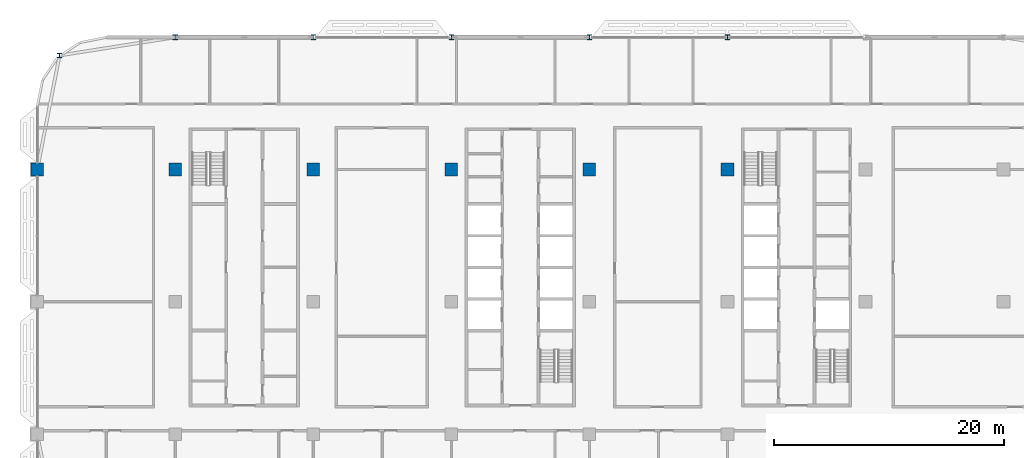
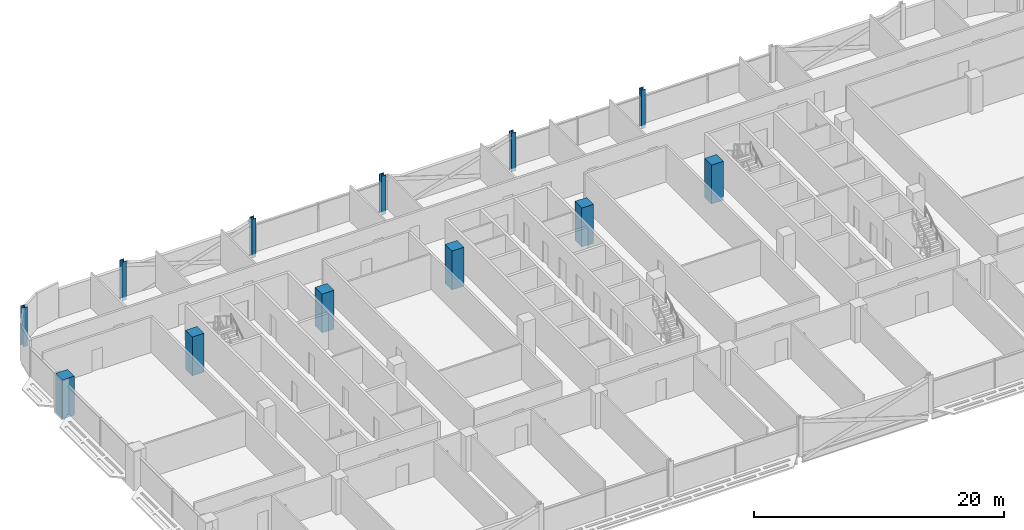
# One storey, part 2 of 30: 12 columns.
"""IFC4 building model written with IfcOpenShell, lengths in metres."""

from ifc_helpers import new_model, si_unit, direction, frame, origin, origin_2d, place, context, subcontext, project, spatial, rectangle, i_section, extrude, material, material_profile, profile_set, type_object, element, save


model = new_model("IFC4")

# Units and contexts
model_context = context("Model", 3, precision=1e-05, world=origin(), true_north=direction((0.0, 1.0)))
body_context = subcontext(model_context, "Body", "Model", "MODEL_VIEW")
ifc_project = project(units=[si_unit("LENGTHUNIT", "METRE"), si_unit("AREAUNIT", "SQUARE_METRE"), si_unit("VOLUMEUNIT", "CUBIC_METRE"), si_unit("PLANEANGLEUNIT", "RADIAN"), si_unit("MASSUNIT", "GRAM", prefix="KILO")], contexts=[model_context])

# Site, building, storey
site_placement = place(None, origin())
site = spatial("IfcSite", under=ifc_project, at=site_placement, CompositionType="ELEMENT")
building_placement = place(site_placement, origin())
building = spatial("IfcBuilding", under=site, at=building_placement, Name="Mahtab Terrace Research Tower", CompositionType="ELEMENT")
storey_placement = place(building_placement, frame((0.0, 0.0, 201.5)))
storey = spatial("IfcBuildingStorey", under=building, at=storey_placement, Name="L48", CompositionType="ELEMENT", Elevation=201.5)

# Columns
ifc_material_1 = material(Name="Concrete C70/85", Category="concrete")
ifc_material_profile_1 = material_profile(ifc_material_1, rectangle(XDim=1.10009765625, YDim=1.10009765625, at=origin_2d()), Name="RC column 1100x1100")
ifc_profile_set_1 = profile_set([ifc_material_profile_1], Name="Concrete C70/85")
column_type_1 = type_object("IfcColumnType", Name="RC column 1100x1100", PredefinedType="COLUMN", material=ifc_profile_set_1)
for number, where, z_axis, x_axis, name in (
    (1, (-42.0, 11.5, -0.340087890625), (0.0, 0.0, 1.0), (1.0, 0.0, 0.0), "Column RC-1C L48"),
    (2, (-30.0, 11.5, -0.340087890625), (0.0, 0.0, 1.0), (1.0, 0.0, 0.0), "Column RC-2C L48"),
    (3, (-18.0, 11.5, -0.340087890625), (0.0, 0.0, 1.0), (1.0, 0.0, 0.0), "Column RC-3C L48"),
    (4, (-6.0, 11.5, -0.340087890625), (0.0, 0.0, 1.0), (1.0, 0.0, 0.0), "Column RC-4C L48"),
    (5, (6.0, 11.5, -0.340087890625), (0.0, 0.0, 1.0), (1.0, 0.0, 0.0), "Column RC-5C L48"),
    (6, (18.0, 11.5, -0.340087890625), (0.0, 0.0, 1.0), (1.0, 0.0, 0.0), "Column RC-6C L48"),
):
    element("IfcColumn", number, at=place(storey_placement, frame(where, z_axis=z_axis, x_axis=x_axis)), inside=storey, type_object=column_type_1, Name=name, PredefinedType="COLUMN", context=body_context, shape_type="SweptSolid", body=[
        extrude(rectangle(XDim=1.10009765625, YDim=1.10009765625, at=origin_2d()), origin(), (0.0, 0.0, 1.0), 3.800048828125),
    ])
ifc_material_2 = material(Name="Steel ASTM A992 Gr 50", Category="steel")
ifc_material_profile_2 = material_profile(ifc_material_2, i_section(OverallWidth=0.4013671875, OverallDepth=0.398681640625, WebThickness=0.02490234375, FlangeThickness=0.03955078125, at=origin_2d()), Name="W14X211")
ifc_profile_set_2 = profile_set([ifc_material_profile_2], Name="Steel ASTM A992 Gr 50")
column_type_2 = type_object("IfcColumnType", Name="W14x211 column CS14211", PredefinedType="COLUMN", material=ifc_profile_set_2)
for number, where, z_axis, x_axis, name in (
    (7, (18.0, 23.0, -0.340087890625), (0.0, 0.0, 1.0), (1.0, 0.0, 0.0), "Column SC-003 L48"),
    (8, (6.0, 23.0, -0.340087890625), (0.0, 0.0, 1.0), (1.0, 0.0, 0.0), "Column SC-004 L48"),
    (9, (-6.0, 23.0, -0.340087890625), (0.0, 0.0, 1.0), (1.0, 0.0, 0.0), "Column SC-005 L48"),
    (10, (-18.0, 23.0, -0.340087890625), (0.0, 0.0, 1.0), (1.0, 0.0, 0.0), "Column SC-006 L48"),
    (11, (-30.0, 23.0, -0.340087890625), (0.0, 0.0, 1.0), (1.0, 0.0, 0.0), "Column SC-007 L48"),
    (12, (-40.06201171875, 21.416015625, -0.340087890625), (0.0, 0.0, 1.0), (1.0, 0.0, 0.0), "Column SC-024 L48"),
):
    element("IfcColumn", number, at=place(storey_placement, frame(where, z_axis=z_axis, x_axis=x_axis)), inside=storey, type_object=column_type_2, Name=name, PredefinedType="COLUMN", context=body_context, shape_type="SweptSolid", body=[
        extrude(i_section(OverallWidth=0.4013671875, OverallDepth=0.398681640625, WebThickness=0.02490234375, FlangeThickness=0.03955078125, at=origin_2d()), origin(), (0.0, 0.0, 1.0), 3.800048828125),
    ])

save(model, "model.ifc")
